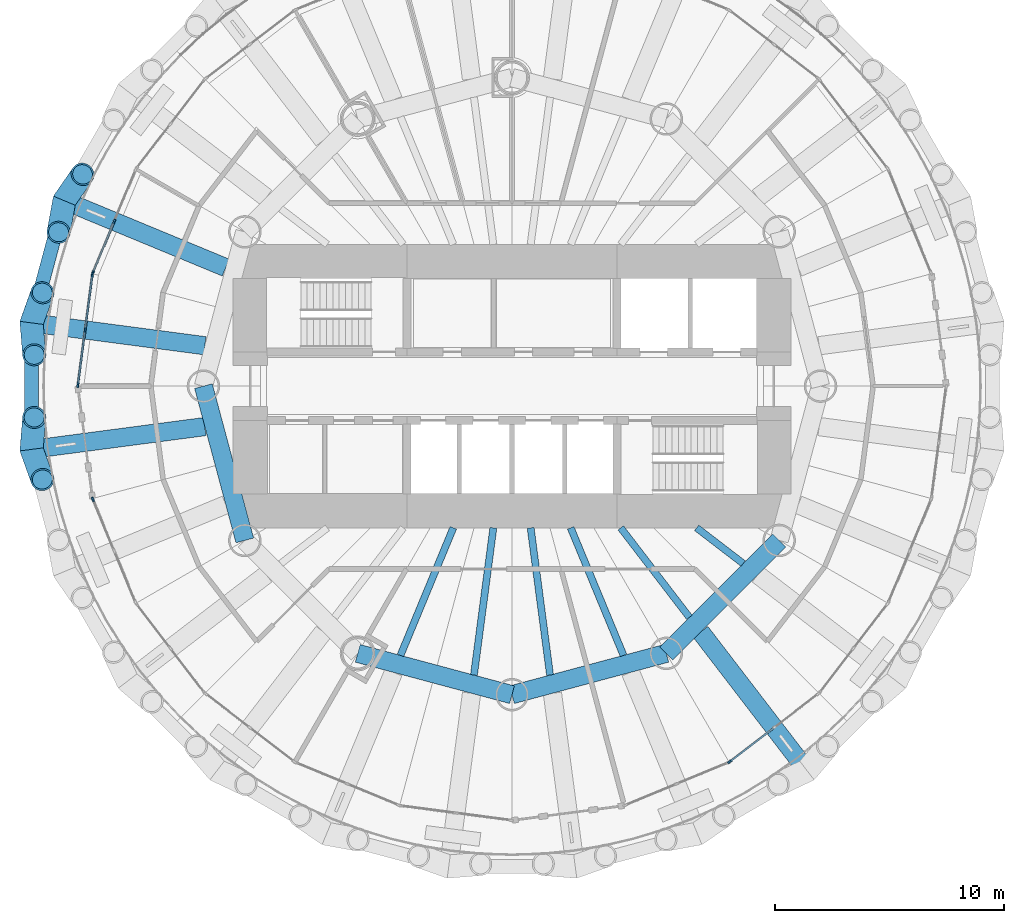
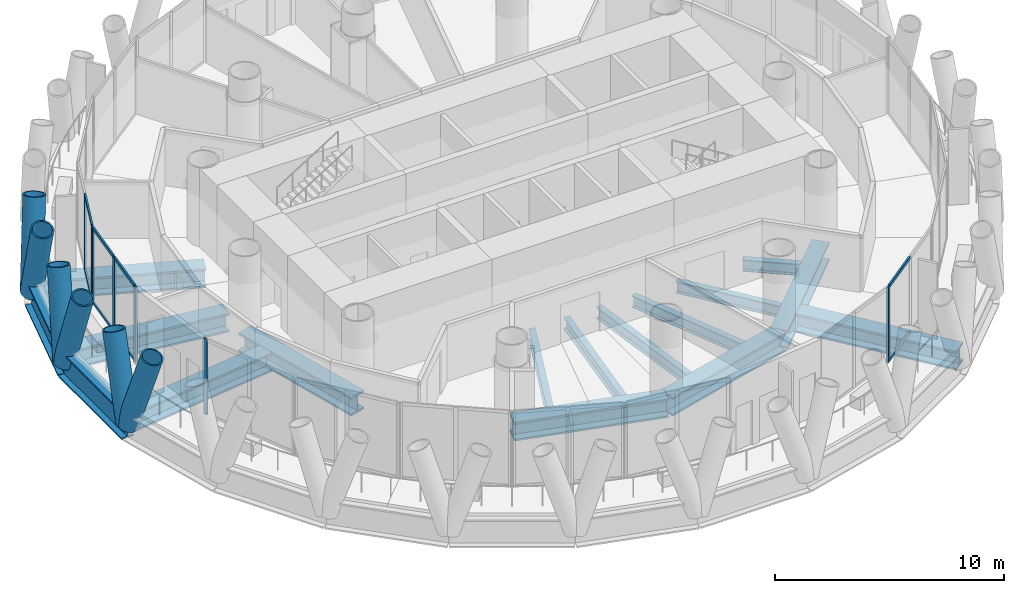
# One storey, part 3 of 16: 21 members, 16 beams, 4 elements without a shape of their own.
"""IFC4 building model written with IfcOpenShell, lengths in metres."""

from ifc_helpers import new_model, si_unit, direction, frame, origin, origin_2d, place, context, subcontext, project, spatial, rectangle, hollow_circle, i_section, extrude, material, material_profile, profile_set, type_object, element, aggregate, save


model = new_model("IFC4")

# Units and contexts
model_context = context("Model", 3, precision=1e-05, world=origin(), true_north=direction((0.0, 1.0)))
body_context = subcontext(model_context, "Body", "Model", "MODEL_VIEW")
ifc_project = project(units=[si_unit("LENGTHUNIT", "METRE"), si_unit("AREAUNIT", "SQUARE_METRE"), si_unit("VOLUMEUNIT", "CUBIC_METRE"), si_unit("PLANEANGLEUNIT", "RADIAN"), si_unit("MASSUNIT", "GRAM", prefix="KILO")], contexts=[model_context])

# Site, building, storey
site_placement = place(None, origin())
site = spatial("IfcSite", under=ifc_project, at=site_placement, CompositionType="ELEMENT")
building_placement = place(site_placement, origin())
building = spatial("IfcBuilding", under=site, at=building_placement, Name="Qaws Media Tower", CompositionType="ELEMENT")
storey_placement = place(building_placement, frame((0.0, 0.0, 269.60009765625)))
storey = spatial("IfcBuildingStorey", under=building, at=storey_placement, Name="L62", CompositionType="ELEMENT", Elevation=269.60009765625)

# Curtain wall, members
ifc_material_1 = material(Name="Aluminium and clear glass", Category="aluminium")
curtain_wall_type = type_object("IfcCurtainWallType", Name="Unitised curtain wall CW-D", PredefinedType="NOTDEFINED", material=ifc_material_1)
curtain_wall_1_placement = place(storey_placement, origin())
curtain_wall_1 = element("IfcCurtainWall", 1, at=curtain_wall_1_placement, inside=storey, type_object=curtain_wall_type, Name="CWD curtain wall L62-11", PredefinedType="NOTDEFINED")
ifc_material_2 = material(Name="Aluminium mullion", Category="aluminium")
ifc_material_profile_1 = material_profile(ifc_material_2, rectangle(XDim=0.080078125, YDim=0.199951171875, at=origin_2d()), Name="80x200")
ifc_profile_set_1 = profile_set([ifc_material_profile_1], Name="Aluminium mullion")
member_type_1 = type_object("IfcMemberType", Name="Curtain wall mullion 80x200", PredefinedType="MULLION", material=ifc_profile_set_1)
member_1_placement = place(storey_placement, frame((42.596435546875, 57.208740234375, 0.0), z_axis=(0.0, 0.0, 1.0), x_axis=(0.923879530254, -0.382683437815, 0.0)))
member_1 = element("IfcMember", 2, at=member_1_placement, type_object=member_type_1, Name="CWD mullion 2", PredefinedType="MULLION", context=body_context, shape_type="SweptSolid", body=[
    extrude(rectangle(XDim=0.080078125, YDim=0.199951171875, at=origin_2d()), origin(), (0.0, 0.0, 1.0), 4.039794921875),
])
member_2_placement = place(storey_placement, frame((41.66259765625, 54.95458984375, 0.0), z_axis=(0.0, 0.0, 1.0), x_axis=(0.923879530254, -0.382683437815, 0.0)))
member_2 = element("IfcMember", 3, at=member_2_placement, type_object=member_type_1, Name="CWD mullion 3", PredefinedType="MULLION", context=body_context, shape_type="SweptSolid", body=[
    extrude(rectangle(XDim=0.080078125, YDim=0.199951171875, at=origin_2d()), origin(), (0.0, 0.0, 1.0), 4.039794921875),
])

curtain_wall_2_placement = place(storey_placement, origin())
curtain_wall_2 = element("IfcCurtainWall", 4, at=curtain_wall_2_placement, inside=storey, type_object=curtain_wall_type, Name="CWD curtain wall L62-12", PredefinedType="NOTDEFINED")
member_3_placement = place(storey_placement, frame((41.64208984375, 54.8779296875, 0.0), z_axis=(0.0, 0.0, 1.0), x_axis=(0.991444869705, -0.130526128939, 0.0)))
member_3 = element("IfcMember", 5, at=member_3_placement, type_object=member_type_1, Name="CWD mullion 1", PredefinedType="MULLION", context=body_context, shape_type="SweptSolid", body=[
    extrude(rectangle(XDim=0.080078125, YDim=0.199951171875, at=origin_2d()), origin(), (0.0, 0.0, 1.0), 4.039794921875),
])
member_4_placement = place(storey_placement, frame((41.32373046875, 52.458740234375, 0.0), z_axis=(0.0, 0.0, 1.0), x_axis=(0.991444869705, -0.130526128939, 0.0)))
member_4 = element("IfcMember", 6, at=member_4_placement, type_object=member_type_1, Name="CWD mullion 2", PredefinedType="MULLION", context=body_context, shape_type="SweptSolid", body=[
    extrude(rectangle(XDim=0.080078125, YDim=0.199951171875, at=origin_2d()), origin(), (0.0, 0.0, 1.0), 4.039794921875),
])
member_5_placement = place(storey_placement, frame((41.005126953125, 50.03955078125, 0.0), z_axis=(0.0, 0.0, 1.0), x_axis=(0.991444869705, -0.130526128939, 0.0)))
member_5 = element("IfcMember", 7, at=member_5_placement, type_object=member_type_1, Name="CWD mullion 3", PredefinedType="MULLION", context=body_context, shape_type="SweptSolid", body=[
    extrude(rectangle(XDim=0.080078125, YDim=0.199951171875, at=origin_2d()), origin(), (0.0, 0.0, 1.0), 4.039794921875),
])

# Curtain wall, member
curtain_wall_3_placement = place(storey_placement, origin())
curtain_wall_3 = element("IfcCurtainWall", 8, at=curtain_wall_3_placement, inside=storey, type_object=curtain_wall_type, Name="CWD curtain wall L62-14", PredefinedType="NOTDEFINED")
member_6_placement = place(storey_placement, frame((41.66259765625, 45.04541015625, 0.0), z_axis=(0.0, 0.0, 1.0), x_axis=(0.923879530254, 0.382683437815, 0.0)))
member_6 = element("IfcMember", 9, at=member_6_placement, type_object=member_type_1, Name="CWD mullion 1", PredefinedType="MULLION", context=body_context, shape_type="SweptSolid", body=[
    extrude(rectangle(XDim=0.080078125, YDim=0.199951171875, at=origin_2d()), origin(), (0.0, 0.0, 1.0), 4.039794921875),
])
aggregate(curtain_wall_3, [member_6])

curtain_wall_4_placement = place(storey_placement, origin())
curtain_wall_4 = element("IfcCurtainWall", 10, at=curtain_wall_4_placement, inside=storey, type_object=curtain_wall_type, Name="CWD curtain wall L62-21", PredefinedType="NOTDEFINED")
member_7_placement = place(storey_placement, frame((69.53173828125, 33.56982421875, 0.0), z_axis=(0.0, 0.0, 1.0), x_axis=(-0.608761435337, 0.793353335436, 0.0)))
member_7 = element("IfcMember", 11, at=member_7_placement, type_object=member_type_1, Name="CWD mullion 1", PredefinedType="MULLION", context=body_context, shape_type="SweptSolid", body=[
    extrude(rectangle(XDim=0.080078125, YDim=0.199951171875, at=origin_2d()), origin(), (0.0, 0.0, 1.0), 4.039794921875),
])

# Member
ifc_material_3 = material(Name="Aluminium transom", Category="aluminium")
ifc_material_profile_2 = material_profile(ifc_material_3, rectangle(XDim=0.080078125, YDim=0.159912109375, at=origin_2d()), Name="80x160")
ifc_profile_set_2 = profile_set([ifc_material_profile_2], Name="Aluminium transom")
member_type_2 = type_object("IfcMemberType", Name="Curtain wall transom 80x160", PredefinedType="USERDEFINED", material=ifc_profile_set_2)
member_8_placement = place(storey_placement, frame((42.5810546875, 57.171875, 0.039794921875), z_axis=(-0.382653293732, -0.923892015766, 0.0), x_axis=(0.923892015766, -0.382653293732, 0.0)))
member_8 = element("IfcMember", 12, at=member_8_placement, type_object=member_type_2, Name="CWD transom 2.1", ObjectType="TRANSOM", PredefinedType="USERDEFINED", context=body_context, shape_type="SweptSolid", body=[
    extrude(rectangle(XDim=0.080078125, YDim=0.159912109375, at=origin_2d()), origin(), (0.0, 0.0, 1.0), 2.360107421875),
])

member_9_placement = place(storey_placement, frame((42.5810546875, 57.171875, 4.0), z_axis=(-0.382653293732, -0.923892015766, 0.0), x_axis=(0.923892015766, -0.382653293732, 0.0)))
member_9 = element("IfcMember", 13, at=member_9_placement, type_object=member_type_2, Name="CWD transom 2.2", ObjectType="TRANSOM", PredefinedType="USERDEFINED", context=body_context, shape_type="SweptSolid", body=[
    extrude(rectangle(XDim=0.080078125, YDim=0.159912109375, at=origin_2d()), origin(), (0.0, 0.0, 1.0), 2.360107421875),
])

aggregate(curtain_wall_1, [member_1, member_2, member_8, member_9])

member_10_placement = place(storey_placement, frame((41.636962890625, 54.838134765625, 0.039794921875), z_axis=(-0.130564238024, -0.991439851806, 0.0), x_axis=(0.991439851806, -0.130564238024, 0.0)))
member_10 = element("IfcMember", 14, at=member_10_placement, type_object=member_type_2, Name="CWD transom 1.1", ObjectType="TRANSOM", PredefinedType="USERDEFINED", context=body_context, shape_type="SweptSolid", body=[
    extrude(rectangle(XDim=0.080078125, YDim=0.159912109375, at=origin_2d()), origin(), (0.0, 0.0, 1.0), 2.35986328125),
])

member_11_placement = place(storey_placement, frame((41.636962890625, 54.838134765625, 4.0), z_axis=(-0.130564238024, -0.991439851806, 0.0), x_axis=(0.991439851806, -0.130564238024, 0.0)))
member_11 = element("IfcMember", 15, at=member_11_placement, type_object=member_type_2, Name="CWD transom 1.2", ObjectType="TRANSOM", PredefinedType="USERDEFINED", context=body_context, shape_type="SweptSolid", body=[
    extrude(rectangle(XDim=0.080078125, YDim=0.159912109375, at=origin_2d()), origin(), (0.0, 0.0, 1.0), 2.35986328125),
])

member_12_placement = place(storey_placement, frame((41.318603515625, 52.419189453125, 0.039794921875), z_axis=(-0.130550847075, -0.991441615189, 0.0), x_axis=(0.991441615189, -0.130550847075, 0.0)))
member_12 = element("IfcMember", 16, at=member_12_placement, type_object=member_type_2, Name="CWD transom 2.1", ObjectType="TRANSOM", PredefinedType="USERDEFINED", context=body_context, shape_type="SweptSolid", body=[
    extrude(rectangle(XDim=0.080078125, YDim=0.159912109375, at=origin_2d()), origin(), (0.0, 0.0, 1.0), 2.360107421875),
])

member_13_placement = place(storey_placement, frame((41.318603515625, 52.419189453125, 4.0), z_axis=(-0.130550847075, -0.991441615189, 0.0), x_axis=(0.991441615189, -0.130550847075, 0.0)))
member_13 = element("IfcMember", 17, at=member_13_placement, type_object=member_type_2, Name="CWD transom 2.2", ObjectType="TRANSOM", PredefinedType="USERDEFINED", context=body_context, shape_type="SweptSolid", body=[
    extrude(rectangle(XDim=0.080078125, YDim=0.159912109375, at=origin_2d()), origin(), (0.0, 0.0, 1.0), 2.360107421875),
])

aggregate(curtain_wall_2, [member_3, member_4, member_5, member_10, member_11, member_12, member_13])

member_14_placement = place(storey_placement, frame((69.5634765625, 33.59423828125, 0.039794921875), z_axis=(0.793334887851, 0.608785475942, 0.0), x_axis=(-0.608785475942, 0.793334887851, 0.0)))
member_14 = element("IfcMember", 18, at=member_14_placement, type_object=member_type_2, Name="CWD transom 1.1", ObjectType="TRANSOM", PredefinedType="USERDEFINED", context=body_context, shape_type="SweptSolid", body=[
    extrude(rectangle(XDim=0.080078125, YDim=0.159912109375, at=origin_2d()), origin(), (0.0, 0.0, 1.0), 2.360107421875),
])

member_15_placement = place(storey_placement, frame((69.5634765625, 33.59423828125, 4.0), z_axis=(0.793334887851, 0.608785475942, 0.0), x_axis=(-0.608785475942, 0.793334887851, 0.0)))
member_15 = element("IfcMember", 19, at=member_15_placement, type_object=member_type_2, Name="CWD transom 1.2", ObjectType="TRANSOM", PredefinedType="USERDEFINED", context=body_context, shape_type="SweptSolid", body=[
    extrude(rectangle(XDim=0.080078125, YDim=0.159912109375, at=origin_2d()), origin(), (0.0, 0.0, 1.0), 2.360107421875),
])

aggregate(curtain_wall_4, [member_7, member_14, member_15])

# Members
ifc_material_4 = material(Name="Steel S460", Category="steel")
ifc_material_profile_3 = material_profile(ifc_material_4, hollow_circle(Radius=0.508056640625, WallThickness=0.070068359375, at=origin_2d()), Name="CHS 1016x70")
ifc_profile_set_3 = profile_set([ifc_material_profile_3], Name="Steel S460")
member_type_3 = type_object("IfcMemberType", Name="Diagrid member CHS 1016x70", PredefinedType="USERDEFINED", material=ifc_profile_set_3)
for number, where, z_axis, x_axis, name in (
    (20, (40.413818359375, 58.11279296875, -0.91015625), (-0.056904923724, -0.311378008011, 0.948580816685), (0.983707850681, -0.179774482363, 0.0), "DG3 diagrid L62 A11"),
    (21, (40.413818359375, 58.11279296875, -0.91015625), (0.179923150491, 0.260428145807, 0.948580434538), (-0.822743668856, 0.568412574947, 0.0), "DG3 diagrid L62 B11"),
    (22, (38.9814453125, 52.76708984375, -0.91015625), (0.025640148851, -0.315511681135, 0.948575227293), (0.996714241721, 0.08099827375, 0.0), "DG3 diagrid L62 A12"),
    (23, (38.9814453125, 52.76708984375, -0.91015625), (0.106419910946, 0.298141170199, 0.948570843525), (-0.941801008522, 0.336170879683, 0.0), "DG3 diagrid L62 B12"),
    (24, (38.9814453125, 47.23291015625, -0.91015625), (0.106419910946, -0.298141170199, 0.948570843525), (0.941801008522, 0.336170879683, 0.0), "DG3 diagrid L62 A13"),
    (25, (38.9814453125, 47.23291015625, -0.91015625), (0.025640148851, 0.315511681135, 0.948575227293), (-0.996714241721, 0.08099827375, 0.0), "DG3 diagrid L62 B13"),
):
    element("IfcMember", number, at=place(storey_placement, frame(where, z_axis=z_axis, x_axis=x_axis)), inside=storey, type_object=member_type_3, Name=name, ObjectType="DIAGRID", PredefinedType="USERDEFINED", context=body_context, shape_type="SweptSolid", body=[
        extrude(hollow_circle(Radius=0.508056640625, WallThickness=0.070068359375, at=origin_2d()), origin(), (0.0, 0.0, 1.0), 4.427734375),
    ])

# Beams
ifc_material_5 = material(Name="Steel S460", Category="steel")
ifc_material_profile_4 = material_profile(ifc_material_5, i_section(OverallWidth=0.60009765625, OverallDepth=1.5, WebThickness=0.030029296875, FlangeThickness=0.080078125, at=origin_2d()), Name="PG 1500x600")
ifc_profile_set_4 = profile_set([ifc_material_profile_4], Name="Steel S460")
beam_type_1 = type_object("IfcBeamType", Name="Edge ring beam PG 1500x600", PredefinedType="BEAM", material=ifc_profile_set_4)
for number, where, z_axis, x_axis, name in (
    (26, (40.413818359375, 58.11279296875, -0.91015625), (-0.258818406416, -0.965925997424, 0.0), (0.965925997424, -0.258818406416, 0.0), "RB5 edge ring beam L62-11"),
    (27, (38.9814453125, 52.76708984375, -0.91015625), (0.0, -1.0, 0.0), (1.0, 0.0, 0.0), "RB5 edge ring beam L62-12"),
):
    element("IfcBeam", number, at=place(storey_placement, frame(where, z_axis=z_axis, x_axis=x_axis)), inside=storey, type_object=beam_type_1, Name=name, PredefinedType="BEAM", context=body_context, shape_type="SweptSolid", body=[
        extrude(i_section(OverallWidth=0.60009765625, OverallDepth=1.5, WebThickness=0.030029296875, FlangeThickness=0.080078125, at=origin_2d()), origin(), (0.0, 0.0, 1.0), 5.5341796875),
    ])
ifc_material_6 = material(Name="Steel S460", Category="steel")
ifc_material_profile_5 = material_profile(ifc_material_6, i_section(OverallWidth=0.800048828125, OverallDepth=1.0, WebThickness=0.0400390625, FlangeThickness=0.10009765625, at=origin_2d()), Name="PG 1000x800")
ifc_profile_set_5 = profile_set([ifc_material_profile_5], Name="Steel S460")
beam_type_2 = type_object("IfcBeamType", Name="Inner ring girder PG 1000x800", PredefinedType="BEAM", material=ifc_profile_set_5)
for number, where, z_axis, x_axis, name in (
    (28, (46.5, 50.0, -0.66015625), (0.258810593767, -0.965928090778, 0.0), (0.965928090778, 0.258810593767, 0.0), "B3 inner ring beam L62 I07-I08"),
    (29, (53.25, 38.30859375, -0.66015625), (0.965928090778, -0.258810593767, 0.0), (0.258810593767, 0.965928090778, 0.0), "B3 inner ring beam L62 I09-I10"),
    (30, (60.0, 36.5, -0.66015625), (0.965928090778, 0.258810593767, 0.0), (-0.258810593767, 0.965928090778, 0.0), "B3 inner ring beam L62 I10-I11"),
):
    element("IfcBeam", number, at=place(storey_placement, frame(where, z_axis=z_axis, x_axis=x_axis)), inside=storey, type_object=beam_type_2, Name=name, PredefinedType="BEAM", context=body_context, shape_type="SweptSolid", body=[
        extrude(i_section(OverallWidth=0.800048828125, OverallDepth=1.0, WebThickness=0.0400390625, FlangeThickness=0.10009765625, at=origin_2d()), origin(), (0.0, 0.0, 1.0), 6.988037109375),
    ])
beam_1_placement = place(storey_placement, frame((66.75, 38.30859375, -0.66015625), z_axis=(0.707106781187, 0.707106781187, 0.0), x_axis=(-0.707106781187, 0.707106781187, 0.0)))
element("IfcBeam", 31, at=beam_1_placement, inside=storey, type_object=beam_type_2, Name="B3 inner ring beam L62 I11-I12", PredefinedType="BEAM", context=body_context, shape_type="SweptSolid", body=[
    extrude(i_section(OverallWidth=0.800048828125, OverallDepth=1.0, WebThickness=0.0400390625, FlangeThickness=0.10009765625, at=origin_2d()), origin(), (0.0, 0.0, 1.0), 6.98828125),
])
ifc_material_7 = material(Name="Steel S355", Category="steel")
ifc_material_profile_6 = material_profile(ifc_material_7, i_section(OverallWidth=0.304931640625, OverallDepth=0.6201171875, WebThickness=0.02099609375, FlangeThickness=0.0400390625, FilletRadius=0.027099609375, at=origin_2d()), Name="HE 600 M")
ifc_profile_set_6 = profile_set([ifc_material_profile_6], Name="Steel S355")
beam_type_3 = type_object("IfcBeamType", Name="Radial beam HE 600 M, core side", PredefinedType="BEAM", material=ifc_profile_set_6)
beam_2_placement = place(storey_placement, frame((57.431884765625, 43.800048828125, -0.47021484375), z_axis=(-0.38269102823, -0.923876386165, 0.0), x_axis=(0.923876386165, -0.38269102823, 0.0)))
element("IfcBeam", 32, at=beam_2_placement, inside=storey, type_object=beam_type_3, Name="B2 radial beam L62 17", PredefinedType="BEAM", context=body_context, shape_type="SweptSolid", body=[
    extrude(i_section(OverallWidth=0.304931640625, OverallDepth=0.6201171875, WebThickness=0.02099609375, FlangeThickness=0.0400390625, FilletRadius=0.027099609375, at=origin_2d()), origin(), (0.0, 0.0, 1.0), 6.038330078125),
])
for number, where, z_axis, x_axis, name in (
    (33, (59.183837890625, 43.800048828125, -0.47021484375), (-0.130536183005, -0.991443546011, 0.0), (0.991443546011, -0.130536183005, 0.0), "B2 radial beam L62 18"),
    (34, (60.816162109375, 43.800048828125, -0.47021484375), (0.130536183005, -0.991443546011, 0.0), (0.991443546011, 0.130536183005, 0.0), "B2 radial beam L62 19"),
):
    element("IfcBeam", number, at=place(storey_placement, frame(where, z_axis=z_axis, x_axis=x_axis)), inside=storey, type_object=beam_type_3, Name=name, PredefinedType="BEAM", context=body_context, shape_type="SweptSolid", body=[
        extrude(i_section(OverallWidth=0.304931640625, OverallDepth=0.6201171875, WebThickness=0.02099609375, FlangeThickness=0.0400390625, FilletRadius=0.027099609375, at=origin_2d()), origin(), (0.0, 0.0, 1.0), 6.49560546875),
    ])
beam_3_placement = place(storey_placement, frame((62.568115234375, 43.800048828125, -0.47021484375), z_axis=(0.38269102823, -0.923876386165, 0.0), x_axis=(0.923876386165, 0.38269102823, 0.0)))
element("IfcBeam", 35, at=beam_3_placement, inside=storey, type_object=beam_type_3, Name="B2 radial beam L62 20", PredefinedType="BEAM", context=body_context, shape_type="SweptSolid", body=[
    extrude(i_section(OverallWidth=0.304931640625, OverallDepth=0.6201171875, WebThickness=0.02099609375, FlangeThickness=0.0400390625, FilletRadius=0.027099609375, at=origin_2d()), origin(), (0.0, 0.0, 1.0), 6.038330078125),
])
beam_4_placement = place(storey_placement, frame((64.75732421875, 43.800048828125, -0.47021484375), z_axis=(0.60878257667, -0.793337112672, 0.0), x_axis=(0.793337112672, 0.60878257667, 0.0)))
element("IfcBeam", 36, at=beam_4_placement, inside=storey, type_object=beam_type_3, Name="B2 radial beam L62 21", PredefinedType="BEAM", context=body_context, shape_type="SweptSolid", body=[
    extrude(i_section(OverallWidth=0.304931640625, OverallDepth=0.6201171875, WebThickness=0.02099609375, FlangeThickness=0.0400390625, FilletRadius=0.027099609375, at=origin_2d()), origin(), (0.0, 0.0, 1.0), 4.934326171875),
])
beam_5_placement = place(storey_placement, frame((68.080078125, 43.800048828125, -0.47021484375), z_axis=(0.793313603331, -0.608813211725, 0.0), x_axis=(0.608813211725, 0.793313603331, 0.0)))
element("IfcBeam", 37, at=beam_5_placement, inside=storey, type_object=beam_type_3, Name="B2 radial beam L62 22", PredefinedType="BEAM", context=body_context, shape_type="SweptSolid", body=[
    extrude(i_section(OverallWidth=0.304931640625, OverallDepth=0.6201171875, WebThickness=0.02099609375, FlangeThickness=0.0400390625, FilletRadius=0.027099609375, at=origin_2d()), origin(), (0.0, 0.0, 1.0), 2.564453125),
])
ifc_material_8 = material(Name="Steel S460", Category="steel")
ifc_material_profile_7 = material_profile(ifc_material_8, i_section(OverallWidth=0.800048828125, OverallDepth=1.0, WebThickness=0.0400390625, FlangeThickness=0.10009765625, at=origin_2d()), Name="PG 1000x800")
ifc_profile_set_7 = profile_set([ifc_material_profile_7], Name="Steel S460")
beam_type_4 = type_object("IfcBeamType", Name="Radial girder PG 1000x800", PredefinedType="BEAM", material=ifc_profile_set_7)
beam_6_placement = place(storey_placement, frame((47.475830078125, 55.187744140625, -0.66015625), z_axis=(-0.923885647267, 0.382668669706, 0.0), x_axis=(-0.382668669706, -0.923885647267, 0.0)))
element("IfcBeam", 38, at=beam_6_placement, inside=storey, type_object=beam_type_4, Name="B1 radial beam L62 11", PredefinedType="BEAM", context=body_context, shape_type="SweptSolid", body=[
    extrude(i_section(OverallWidth=0.800048828125, OverallDepth=1.0, WebThickness=0.0400390625, FlangeThickness=0.10009765625, at=origin_2d()), origin(), (0.0, 0.0, 1.0), 7.643798828125),
])
for number, where, z_axis, x_axis, name in (
    (39, (46.56005859375, 51.769287109375, -0.66015625), (-0.991443856279, 0.130533826448, 0.0), (-0.130533826448, -0.991443856279, 0.0), "B1 radial beam L62 12"),
    (40, (46.56005859375, 48.230712890625, -0.66015625), (-0.991443856279, -0.130533826448, 0.0), (0.130533826448, -0.991443856279, 0.0), "B1 radial beam L62 13"),
    (41, (68.25244140625, 39.245361328125, -0.66015625), (0.608753340073, -0.793359547084, 0.0), (0.793359547084, 0.608753340073, 0.0), "B1 radial beam L62 21"),
):
    element("IfcBeam", number, at=place(storey_placement, frame(where, z_axis=z_axis, x_axis=x_axis)), inside=storey, type_object=beam_type_4, Name=name, PredefinedType="BEAM", context=body_context, shape_type="SweptSolid", body=[
        extrude(i_section(OverallWidth=0.800048828125, OverallDepth=1.0, WebThickness=0.0400390625, FlangeThickness=0.10009765625, at=origin_2d()), origin(), (0.0, 0.0, 1.0), 7.64404296875),
    ])

save(model, "model.ifc")
